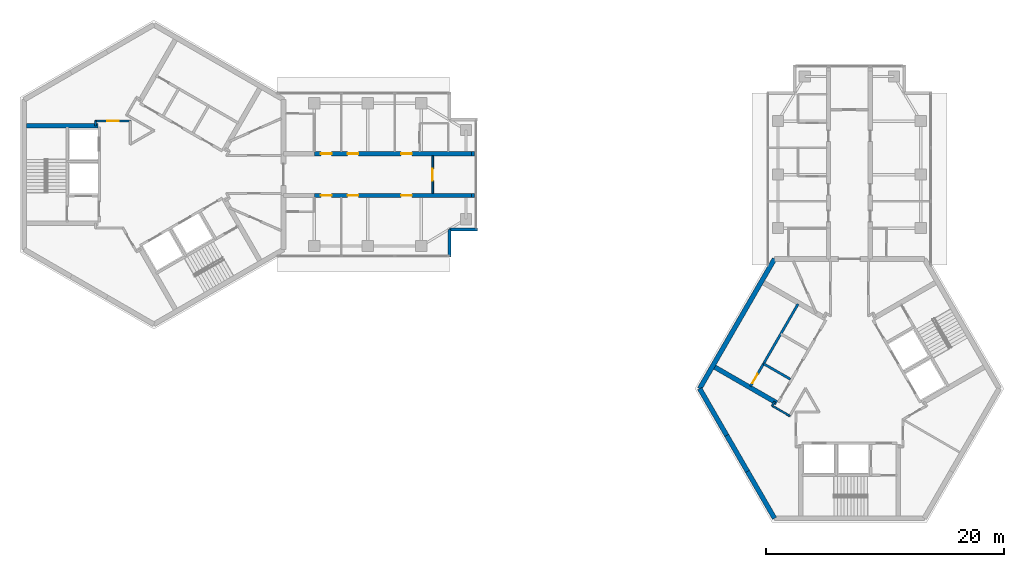
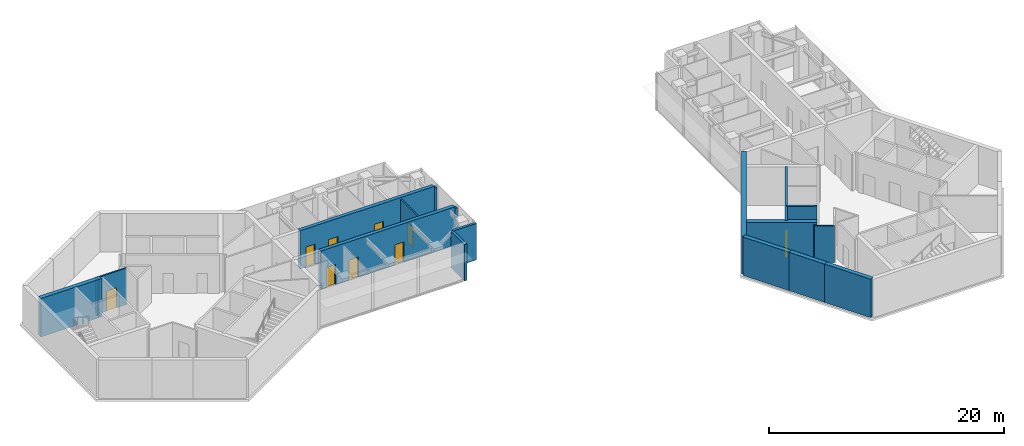
# One storey, part 6 of 11: 19 walls, 9 doors, 9 openings.
"""IFC4 building model written with IfcOpenShell, lengths in metres."""

from ifc_helpers import new_model, si_unit, direction, frame, frame_2d, origin, place, context, subcontext, project, spatial, rectangle, extrude, material, layer, layer_set, type_object, element, fill, save


model = new_model("IFC4")

# Units and contexts
model_context = context("Model", 3, precision=1e-05, world=origin(), true_north=direction((0.0, 1.0)))
body_context = subcontext(model_context, "Body", "Model", "MODEL_VIEW")
ifc_project = project(units=[si_unit("LENGTHUNIT", "METRE"), si_unit("AREAUNIT", "SQUARE_METRE"), si_unit("VOLUMEUNIT", "CUBIC_METRE"), si_unit("PLANEANGLEUNIT", "RADIAN"), si_unit("MASSUNIT", "GRAM", prefix="KILO")], contexts=[model_context])

# Site, building, storey
site_placement = place(None, origin())
site = spatial("IfcSite", under=ifc_project, at=site_placement, CompositionType="ELEMENT")
building_placement = place(site_placement, origin())
building = spatial("IfcBuilding", under=site, at=building_placement, Name="Upepo Twin Towers", CompositionType="ELEMENT")
storey_placement = place(building_placement, frame((0.0, 0.0, 267.5)))
storey = spatial("IfcBuildingStorey", under=building, at=storey_placement, Name="L65", CompositionType="ELEMENT", Elevation=267.5)

# Walls
ifc_material_1 = material(Name="Dense concrete blockwork", Category="masonry")
ifc_layer_1 = layer(ifc_material_1, 0.35009765625)
ifc_layer_set_1 = layer_set([ifc_layer_1], Name="Buttress closer 350, blockwork with fire-stopping to the curtain wall")
wall_type_1 = type_object("IfcWallType", Name="Buttress closer 350, blockwork with fire-stopping to the curtain wall", PredefinedType="PARTITIONING", material=ifc_layer_set_1)
for number, where, z_axis, x_axis, name in (
    (1, (26.699951171875, 1.75, 0.0), (0.0, 0.0, 1.0), (1.0, 0.0, 0.0), "T1 L65 wing A buttress closer L"),
    (2, (26.699951171875, -1.75, 0.0), (0.0, 0.0, 1.0), (1.0, 0.0, 0.0), "T1 L65 wing A buttress closer R"),
):
    element("IfcWall", number, at=place(storey_placement, frame(where, z_axis=z_axis, x_axis=x_axis)), inside=storey, type_object=wall_type_1, Name=name, PredefinedType="PARTITIONING", context=body_context, shape_type="SweptSolid", body=[
        extrude(rectangle(XDim=0.275146484375, YDim=0.35009765625, at=frame_2d((0.1376953125, 0.0))), origin(), (0.0, 0.0, 1.0), 3.800048828125),
    ])

# Wall, openings, doors
ifc_material_2 = material(Name="Concrete C60/75", Category="concrete")
ifc_layer_2 = layer(ifc_material_2, 0.35009765625)
ifc_layer_set_2 = layer_set([ifc_layer_2], Name="Concrete C60/75")
wall_type_2 = type_object("IfcWallType", Name="Buttress wall 350 RC", PredefinedType="SHEAR", material=ifc_layer_set_2)
wall_1_placement = place(storey_placement, frame((13.5, 1.75, 0.0), z_axis=(0.0, 0.0, 1.0), x_axis=(1.0, 0.0, 0.0)))
wall_1 = element("IfcWall", 3, at=wall_1_placement, inside=storey, type_object=wall_type_2, Name="T1 wing A buttress wall L part 2", PredefinedType="SHEAR", context=body_context, shape_type="SweptSolid", body=[
    extrude(rectangle(XDim=13.199951171875, YDim=0.35009765625, at=frame_2d((6.60009765625, 0.0))), origin(), (0.0, 0.0, 1.0), 4.0),
])
opening_1_placement = place(wall_1_placement, frame((0.550048828125, 0.0, 0.0)))
opening_1 = element("IfcOpeningElement", 4, at=opening_1_placement, cuts=wall_1, Name="Opening D11", PredefinedType="OPENING", context=body_context, shape_type="SweptSolid", body=[
    extrude(rectangle(XDim=0.89990234375, YDim=2.10009765625, at=frame_2d((0.449951171875, 1.050048828125))), frame((0.0, 0.18505859375, 0.0), z_axis=(0.0, -1.0, 0.0), x_axis=(1.0, 0.0, 0.0)), (0.0, 0.0, 1.0), 0.3701171875),
])
opening_2_placement = place(wall_1_placement, frame((2.800048828125, 0.0, 0.0)))
opening_2 = element("IfcOpeningElement", 5, at=opening_2_placement, cuts=wall_1, Name="Opening D14", PredefinedType="OPENING", context=body_context, shape_type="SweptSolid", body=[
    extrude(rectangle(XDim=0.89990234375, YDim=2.10009765625, at=frame_2d((0.449951171875, 1.050048828125))), frame((0.0, 0.18505859375, 0.0), z_axis=(0.0, -1.0, 0.0), x_axis=(1.0, 0.0, 0.0)), (0.0, 0.0, 1.0), 0.3701171875),
])
opening_3_placement = place(wall_1_placement, frame((7.300048828125, 0.0, 0.0)))
opening_3 = element("IfcOpeningElement", 6, at=opening_3_placement, cuts=wall_1, Name="Opening D14", PredefinedType="OPENING", context=body_context, shape_type="SweptSolid", body=[
    extrude(rectangle(XDim=0.89990234375, YDim=2.10009765625, at=frame_2d((0.449951171875, 1.050048828125))), frame((0.0, 0.18505859375, 0.0), z_axis=(0.0, -1.0, 0.0), x_axis=(1.0, 0.0, 0.0)), (0.0, 0.0, 1.0), 0.3701171875),
])
ifc_material_3 = material(Name="Timber doorset", Category="wood")
door_type_1 = type_object("IfcDoorType", Name="Office door 900 FD30", OperationType="SINGLE_SWING_LEFT", PredefinedType="DOOR", material=ifc_material_3)
door_1_placement = place(opening_2_placement, origin())
door_1 = element("IfcDoor", 7, at=door_1_placement, inside=storey, type_object=door_type_1, Name="T1 L65 seminar room door", OperationType="SINGLE_SWING_LEFT", OverallHeight=2.10009765625, OverallWidth=0.89990234375, PredefinedType="DOOR", context=body_context, shape_type="SweptSolid", body=[
    extrude(rectangle(XDim=0.89990234375, YDim=2.10009765625, at=frame_2d((0.449951171875, 1.050048828125))), frame((0.0, 0.02490234375, 0.0), z_axis=(0.0, -1.0, 0.0), x_axis=(1.0, 0.0, 0.0)), (0.0, 0.0, 1.0), 0.050048828125),
])
fill(opening_2, door_1)
door_2_placement = place(opening_3_placement, origin())
door_2 = element("IfcDoor", 8, at=door_2_placement, inside=storey, type_object=door_type_1, Name="T1 L65 tutorial room door", OperationType="SINGLE_SWING_RIGHT", OverallHeight=2.10009765625, OverallWidth=0.89990234375, PredefinedType="DOOR", context=body_context, shape_type="SweptSolid", body=[
    extrude(rectangle(XDim=0.89990234375, YDim=2.10009765625, at=frame_2d((0.449951171875, 1.050048828125))), frame((0.0, 0.02490234375, 0.0), z_axis=(0.0, -1.0, 0.0), x_axis=(1.0, 0.0, 0.0)), (0.0, 0.0, 1.0), 0.050048828125),
])
fill(opening_3, door_2)
ifc_material_4 = material(Name="Timber doorset", Category="wood")
door_type_2 = type_object("IfcDoorType", Name="Toilet door 900", OperationType="SINGLE_SWING_LEFT", PredefinedType="DOOR", material=ifc_material_4)
door_3_placement = place(opening_1_placement, origin())
door_3 = element("IfcDoor", 9, at=door_3_placement, inside=storey, type_object=door_type_2, Name="T1 L65 accessible wc door", OperationType="SINGLE_SWING_LEFT", OverallHeight=2.10009765625, OverallWidth=0.89990234375, PredefinedType="DOOR", context=body_context, shape_type="SweptSolid", body=[
    extrude(rectangle(XDim=0.89990234375, YDim=2.10009765625, at=frame_2d((0.449951171875, 1.050048828125))), frame((0.0, 0.02490234375, 0.0), z_axis=(0.0, -1.0, 0.0), x_axis=(1.0, 0.0, 0.0)), (0.0, 0.0, 1.0), 0.050048828125),
])
fill(opening_1, door_3)

wall_2_placement = place(storey_placement, frame((13.5, -1.75, 0.0), z_axis=(0.0, 0.0, 1.0), x_axis=(1.0, 0.0, 0.0)))
wall_2 = element("IfcWall", 10, at=wall_2_placement, inside=storey, type_object=wall_type_2, Name="T1 wing A buttress wall R part 2", PredefinedType="SHEAR", context=body_context, shape_type="SweptSolid", body=[
    extrude(rectangle(XDim=13.199951171875, YDim=0.35009765625, at=frame_2d((6.60009765625, 0.0))), origin(), (0.0, 0.0, 1.0), 4.0),
])
opening_4_placement = place(wall_2_placement, frame((0.550048828125, 0.0, 0.0)))
opening_4 = element("IfcOpeningElement", 11, at=opening_4_placement, cuts=wall_2, Name="Opening D11", PredefinedType="OPENING", context=body_context, shape_type="SweptSolid", body=[
    extrude(rectangle(XDim=0.89990234375, YDim=2.10009765625, at=frame_2d((0.449951171875, 1.050048828125))), frame((0.0, 0.18505859375, 0.0), z_axis=(0.0, -1.0, 0.0), x_axis=(1.0, 0.0, 0.0)), (0.0, 0.0, 1.0), 0.3701171875),
])
opening_5_placement = place(wall_2_placement, frame((2.800048828125, 0.0, 0.0)))
opening_5 = element("IfcOpeningElement", 12, at=opening_5_placement, cuts=wall_2, Name="Opening D14", PredefinedType="OPENING", context=body_context, shape_type="SweptSolid", body=[
    extrude(rectangle(XDim=0.89990234375, YDim=2.10009765625, at=frame_2d((0.449951171875, 1.050048828125))), frame((0.0, 0.18505859375, 0.0), z_axis=(0.0, -1.0, 0.0), x_axis=(1.0, 0.0, 0.0)), (0.0, 0.0, 1.0), 0.3701171875),
])
opening_6_placement = place(wall_2_placement, frame((7.300048828125, 0.0, 0.0)))
opening_6 = element("IfcOpeningElement", 13, at=opening_6_placement, cuts=wall_2, Name="Opening D14", PredefinedType="OPENING", context=body_context, shape_type="SweptSolid", body=[
    extrude(rectangle(XDim=0.89990234375, YDim=2.10009765625, at=frame_2d((0.449951171875, 1.050048828125))), frame((0.0, 0.18505859375, 0.0), z_axis=(0.0, -1.0, 0.0), x_axis=(1.0, 0.0, 0.0)), (0.0, 0.0, 1.0), 0.3701171875),
])
door_4_placement = place(opening_5_placement, origin())
door_4 = element("IfcDoor", 14, at=door_4_placement, inside=storey, type_object=door_type_1, Name="T1 L65 graduate seminar room door", OperationType="SINGLE_SWING_LEFT", OverallHeight=2.10009765625, OverallWidth=0.89990234375, PredefinedType="DOOR", context=body_context, shape_type="SweptSolid", body=[
    extrude(rectangle(XDim=0.89990234375, YDim=2.10009765625, at=frame_2d((0.449951171875, 1.050048828125))), frame((0.0, 0.02490234375, 0.0), z_axis=(0.0, -1.0, 0.0), x_axis=(1.0, 0.0, 0.0)), (0.0, 0.0, 1.0), 0.050048828125),
])
fill(opening_5, door_4)
door_5_placement = place(opening_6_placement, origin())
door_5 = element("IfcDoor", 15, at=door_5_placement, inside=storey, type_object=door_type_1, Name="T1 L65 graduate seminar room door", OperationType="SINGLE_SWING_RIGHT", OverallHeight=2.10009765625, OverallWidth=0.89990234375, PredefinedType="DOOR", context=body_context, shape_type="SweptSolid", body=[
    extrude(rectangle(XDim=0.89990234375, YDim=2.10009765625, at=frame_2d((0.449951171875, 1.050048828125))), frame((0.0, 0.02490234375, 0.0), z_axis=(0.0, -1.0, 0.0), x_axis=(1.0, 0.0, 0.0)), (0.0, 0.0, 1.0), 0.050048828125),
])
fill(opening_6, door_5)
door_6_placement = place(opening_4_placement, origin())
door_6 = element("IfcDoor", 16, at=door_6_placement, inside=storey, type_object=door_type_2, Name="T1 L65 toilets door", OperationType="SINGLE_SWING_LEFT", OverallHeight=2.10009765625, OverallWidth=0.89990234375, PredefinedType="DOOR", context=body_context, shape_type="SweptSolid", body=[
    extrude(rectangle(XDim=0.89990234375, YDim=2.10009765625, at=frame_2d((0.449951171875, 1.050048828125))), frame((0.0, 0.02490234375, 0.0), z_axis=(0.0, -1.0, 0.0), x_axis=(1.0, 0.0, 0.0)), (0.0, 0.0, 1.0), 0.050048828125),
])
fill(opening_4, door_6)

# Walls
ifc_material_5 = material(Name="Concrete C60/75", Category="concrete")
ifc_layer_3 = layer(ifc_material_5, 0.39990234375)
ifc_layer_set_3 = layer_set([ifc_layer_3], Name="Concrete C60/75")
wall_type_3 = type_object("IfcWallType", Name="Core wall 400 RC", PredefinedType="SHEAR", material=ifc_layer_set_3)
wall_3_placement = place(storey_placement, frame((52.2021484375, -7.091552734375, 0.0), z_axis=(0.0, 0.0, 1.0), x_axis=(-0.500005998175, -0.866021940709, 0.0)))
element("IfcWall", 17, at=wall_3_placement, inside=storey, type_object=wall_type_3, Name="T2 core wall 060", PredefinedType="SHEAR", context=body_context, shape_type="SweptSolid", body=[
    extrude(rectangle(XDim=12.595947265625, YDim=0.39990234375, at=frame_2d((6.2978515625, 0.0))), origin(), (0.0, 0.0, 1.0), 4.0),
])
wall_4_placement = place(storey_placement, frame((45.904052734375, -18.0, 0.0), z_axis=(0.0, 0.0, 1.0), x_axis=(0.500024481964, -0.866011268655, 0.0)))
element("IfcWall", 18, at=wall_4_placement, inside=storey, type_object=wall_type_3, Name="T2 core wall 120 R", PredefinedType="SHEAR", context=body_context, shape_type="SweptSolid", body=[
    extrude(rectangle(XDim=4.548095703125, YDim=0.39990234375, at=frame_2d((2.27392578125, 0.0))), origin(), (0.0, 0.0, 1.0), 4.0),
])
wall_5_placement = place(storey_placement, frame((48.17822265625, -21.938720703125, 0.0), z_axis=(0.0, 0.0, 1.0), x_axis=(0.500010275428, -0.866019471182, 0.0)))
element("IfcWall", 19, at=wall_5_placement, inside=storey, type_object=wall_type_3, Name="T2 core wall 120", PredefinedType="SHEAR", context=body_context, shape_type="SweptSolid", body=[
    extrude(rectangle(XDim=3.5, YDim=0.39990234375, at=frame_2d((1.75, 0.0))), origin(), (0.0, 0.0, 1.0), 4.0),
])
wall_6_placement = place(storey_placement, frame((49.92822265625, -24.9697265625, 0.0), z_axis=(0.0, 0.0, 1.0), x_axis=(0.499984222037, -0.866034513004, 0.0)))
element("IfcWall", 20, at=wall_6_placement, inside=storey, type_object=wall_type_3, Name="T2 core wall 120 L", PredefinedType="SHEAR", context=body_context, shape_type="SweptSolid", body=[
    extrude(rectangle(XDim=4.548095703125, YDim=0.39990234375, at=frame_2d((2.27392578125, 0.0))), origin(), (0.0, 0.0, 1.0), 4.0),
])
ifc_material_6 = material(Name="Blockwork with anodised aluminium cladding", Category="masonry")
ifc_layer_4 = layer(ifc_material_6, 0.25)
ifc_layer_set_4 = layer_set([ifc_layer_4], Name="Notch cladding wall 250, pale metal")
wall_type_4 = type_object("IfcWallType", Name="Notch cladding wall 250, pale metal", PredefinedType="STANDARD", material=ifc_layer_set_4)
for number, where, z_axis, x_axis, name in (
    (21, (24.875, -6.949951171875, 0.0), (0.0, 0.0, 1.0), (0.0, 1.0, 0.0), "T1 L65 wing A notch wall R1"),
    (22, (24.875, -4.625, 0.0), (0.0, 0.0, 1.0), (1.0, 0.0, 0.0), "T1 L65 wing A notch wall R2"),
):
    element("IfcWall", number, at=place(storey_placement, frame(where, z_axis=z_axis, x_axis=x_axis)), inside=storey, type_object=wall_type_4, Name=name, PredefinedType="STANDARD", context=body_context, shape_type="SweptSolid", body=[
        extrude(rectangle(XDim=2.324951171875, YDim=0.25, at=frame_2d((1.16259765625, 0.0))), origin(), (0.0, 0.0, 1.0), 3.800048828125),
    ])
ifc_material_7 = material(Name="Concrete C40/50", Category="concrete")
ifc_layer_5 = layer(ifc_material_7, 0.199951171875)
ifc_layer_set_5 = layer_set([ifc_layer_5], Name="Concrete C40/50")
wall_type_5 = type_object("IfcWallType", Name="Shaft wall 200 RC", PredefinedType="SHEAR", material=ifc_layer_set_5)
wall_7_placement = place(storey_placement, frame((53.52978515625, -17.208740234375, 0.0), z_axis=(0.0, 0.0, 1.0), x_axis=(-0.866062058628, 0.499936506574, 0.0)))
element("IfcWall", 23, at=wall_7_placement, inside=storey, type_object=wall_type_5, Name="T2 core W60 lobby wall", PredefinedType="SHEAR", context=body_context, shape_type="SweptSolid", body=[
    extrude(rectangle(XDim=2.599853515625, YDim=0.199951171875, at=frame_2d((1.2998046875, 0.0))), origin(), (0.0, 0.0, 1.0), 4.0),
])

# Wall, opening, door
wall_8_placement = place(storey_placement, frame((54.177978515625, -10.885986328125, 0.0), z_axis=(0.0, 0.0, 1.0), x_axis=(-0.49999894854, -0.866026010844, 0.0)))
wall_8 = element("IfcWall", 24, at=wall_8_placement, inside=storey, type_object=wall_type_5, Name="T2 core W60 stair wall", PredefinedType="SHEAR", context=body_context, shape_type="SweptSolid", body=[
    extrude(rectangle(XDim=8.0, YDim=0.199951171875, at=frame_2d((4.0, 0.0))), origin(), (0.0, 0.0, 1.0), 4.0),
])
opening_7_placement = place(wall_8_placement, frame((6.800048828125, 0.0, 0.0)))
opening_7 = element("IfcOpeningElement", 25, at=opening_7_placement, cuts=wall_8, Name="Opening D9", PredefinedType="OPENING", context=body_context, shape_type="SweptSolid", body=[
    extrude(rectangle(XDim=0.89990234375, YDim=2.10009765625, at=frame_2d((0.449951171875, 1.050048828125))), frame((0.0, 0.10986328125, 0.0), z_axis=(0.0, -1.0, 0.0), x_axis=(1.0, 0.0, 0.0)), (0.0, 0.0, 1.0), 0.219970703125),
])
ifc_material_8 = material(Name="Timber doorset", Category="wood")
door_type_3 = type_object("IfcDoorType", Name="Riser door 900 FD60", OperationType="SINGLE_SWING_LEFT", PredefinedType="DOOR", material=ifc_material_8)
door_7_placement = place(opening_7_placement, origin())
door_7 = element("IfcDoor", 26, at=door_7_placement, inside=storey, type_object=door_type_3, Name="T2 L65 riser door", OperationType="SINGLE_SWING_RIGHT", OverallHeight=2.10009765625, OverallWidth=0.89990234375, PredefinedType="DOOR", context=body_context, shape_type="SweptSolid", body=[
    extrude(rectangle(XDim=0.89990234375, YDim=2.10009765625, at=frame_2d((0.449951171875, 1.050048828125))), frame((0.0, 0.02490234375, 0.0), z_axis=(0.0, -1.0, 0.0), x_axis=(1.0, 0.0, 0.0)), (0.0, 0.0, 1.0), 0.050048828125),
])
fill(opening_7, door_7)

# Walls
ifc_material_9 = material(Name="Concrete C40/50", Category="concrete")
ifc_layer_6 = layer(ifc_material_9, 0.39990234375)
ifc_layer_set_6 = layer_set([ifc_layer_6], Name="Concrete C40/50")
wall_type_6 = type_object("IfcWallType", Name="Shaft wall 400 RC", PredefinedType="SHEAR", material=ifc_layer_set_6)
for number, where, z_axis, x_axis, name in (
    (27, (-4.699951171875, 4.10009765625, 0.0), (0.0, 0.0, 1.0), (-1.0, 0.0, 0.0), "T1 core W180 side wall S"),
    (28, (52.379638671875, -19.20068359375, 0.0), (0.0, 0.0, 1.0), (-0.866026570101, 0.499997979876, 0.0), "T2 core W60 side wall N"),
):
    element("IfcWall", number, at=place(storey_placement, frame(where, z_axis=z_axis, x_axis=x_axis)), inside=storey, type_object=wall_type_6, Name=name, PredefinedType="SHEAR", context=body_context, shape_type="SweptSolid", body=[
        extrude(rectangle(XDim=6.00830078125, YDim=0.39990234375, at=frame_2d((3.004150390625, 0.0))), origin(), (0.0, 0.0, 1.0), 4.0),
    ])
ifc_material_10 = material(Name="Gypsum board on steel studs", Category="steel")
ifc_layer_7 = layer(ifc_material_10, 0.14990234375)
ifc_layer_set_7 = layer_set([ifc_layer_7], Name="Teaching partition 150 acoustic")
wall_type_7 = type_object("IfcWallType", Name="Teaching partition 150 acoustic", PredefinedType="PARTITIONING", material=ifc_layer_set_7)
wall_9_placement = place(storey_placement, frame((-4.89990234375, 4.090087890625, 0.0), z_axis=(0.0, 0.0, 1.0), x_axis=(0.0, 1.0, 0.0)))
element("IfcWall", 29, at=wall_9_placement, inside=storey, type_object=wall_type_7, Name="T1 core room partition 6", PredefinedType="PARTITIONING", context=body_context, shape_type="SweptSolid", body=[
    extrude(rectangle(XDim=0.429931640625, YDim=0.14990234375, at=frame_2d((0.21484375, 0.0))), origin(), (0.0, 0.0, 1.0), 3.800048828125),
])

# Wall, opening, door
wall_10_placement = place(storey_placement, frame((-4.919921875, 4.5, 0.0), z_axis=(0.0, 0.0, 1.0), x_axis=(1.0, 0.0, 0.0)))
wall_10 = element("IfcWall", 30, at=wall_10_placement, inside=storey, type_object=wall_type_7, Name="T1 core room partition 7", PredefinedType="PARTITIONING", context=body_context, shape_type="SweptSolid", body=[
    extrude(rectangle(XDim=2.96484375, YDim=0.14990234375, at=frame_2d((1.482421875, 0.0))), origin(), (0.0, 0.0, 1.0), 3.800048828125),
])
opening_8_placement = place(wall_10_placement, frame((0.982421875, 0.0, 0.0)))
opening_8 = element("IfcOpeningElement", 31, at=opening_8_placement, cuts=wall_10, Name="Opening D1", PredefinedType="OPENING", context=body_context, shape_type="SweptSolid", body=[
    extrude(rectangle(XDim=1.0, YDim=2.10009765625, at=frame_2d((0.5, 1.050048828125))), frame((0.0, 0.0849609375, 0.0), z_axis=(0.0, -1.0, 0.0), x_axis=(1.0, 0.0, 0.0)), (0.0, 0.0, 1.0), 0.169921875),
])
ifc_material_11 = material(Name="Timber doorset", Category="wood")
door_type_4 = type_object("IfcDoorType", Name="Room door 1000 FD30", OperationType="SINGLE_SWING_LEFT", PredefinedType="DOOR", material=ifc_material_11)
door_8_placement = place(opening_8_placement, origin())
door_8 = element("IfcDoor", 32, at=door_8_placement, inside=storey, type_object=door_type_4, Name="T1 L65 core room door K6", OperationType="SINGLE_SWING_RIGHT", OverallHeight=2.10009765625, OverallWidth=1.0, PredefinedType="DOOR", context=body_context, shape_type="SweptSolid", body=[
    extrude(rectangle(XDim=1.0, YDim=2.10009765625, at=frame_2d((0.5, 1.050048828125))), frame((0.0, 0.02490234375, 0.0), z_axis=(0.0, -1.0, 0.0), x_axis=(1.0, 0.0, 0.0)), (0.0, 0.0, 1.0), 0.050048828125),
])
fill(opening_8, door_8)

wall_11_placement = place(storey_placement, frame((23.449951171875, -1.574951171875, 0.0), z_axis=(0.0, 0.0, 1.0), x_axis=(0.0, 1.0, 0.0)))
wall_11 = element("IfcWall", 33, at=wall_11_placement, inside=storey, type_object=wall_type_7, Name="T1 corridor end partition A at 23.45", PredefinedType="PARTITIONING", context=body_context, shape_type="SweptSolid", body=[
    extrude(rectangle(XDim=3.14990234375, YDim=0.14990234375, at=frame_2d((1.574951171875, 0.0))), origin(), (0.0, 0.0, 1.0), 3.800048828125),
])
opening_9_placement = place(wall_11_placement, frame((1.074951171875, 0.0, 0.0)))
opening_9 = element("IfcOpeningElement", 34, at=opening_9_placement, cuts=wall_11, Name="Opening D1", PredefinedType="OPENING", context=body_context, shape_type="SweptSolid", body=[
    extrude(rectangle(XDim=1.0, YDim=2.10009765625, at=frame_2d((0.5, 1.050048828125))), frame((0.0, 0.0849609375, 0.0), z_axis=(0.0, -1.0, 0.0), x_axis=(1.0, 0.0, 0.0)), (0.0, 0.0, 1.0), 0.169921875),
])
door_9_placement = place(opening_9_placement, origin())
door_9 = element("IfcDoor", 35, at=door_9_placement, inside=storey, type_object=door_type_4, Name="T1 L65 breakout study room door", OperationType="SINGLE_SWING_LEFT", OverallHeight=2.10009765625, OverallWidth=1.0, PredefinedType="DOOR", context=body_context, shape_type="SweptSolid", body=[
    extrude(rectangle(XDim=1.0, YDim=2.10009765625, at=frame_2d((0.5, 1.050048828125))), frame((0.0, 0.02490234375, 0.0), z_axis=(0.0, -1.0, 0.0), x_axis=(1.0, 0.0, 0.0)), (0.0, 0.0, 1.0), 0.050048828125),
])
fill(opening_9, door_9)

# Walls
wall_12_placement = place(storey_placement, frame((53.49609375, -20.30712890625, 0.0), z_axis=(0.0, 0.0, 1.0), x_axis=(-0.865989304205, 0.500062521093, 0.0)))
element("IfcWall", 36, at=wall_12_placement, inside=storey, type_object=wall_type_7, Name="T2 core room partition 7", PredefinedType="PARTITIONING", context=body_context, shape_type="SweptSolid", body=[
    extrude(rectangle(XDim=1.739990234375, YDim=0.14990234375, at=frame_2d((0.8701171875, 0.0))), origin(), (0.0, 0.0, 1.0), 3.800048828125),
])
wall_13_placement = place(storey_placement, frame((51.99658203125, -19.46435546875, 0.0), z_axis=(0.0, 0.0, 1.0), x_axis=(0.499804398801, 0.866138304741, 0.0)))
element("IfcWall", 37, at=wall_13_placement, inside=storey, type_object=wall_type_7, Name="T2 core room partition 8", PredefinedType="PARTITIONING", context=body_context, shape_type="SweptSolid", body=[
    extrude(rectangle(XDim=0.429931640625, YDim=0.14990234375, at=frame_2d((0.21484375, 0.0))), origin(), (0.0, 0.0, 1.0), 3.800048828125),
])

save(model, "model.ifc")
